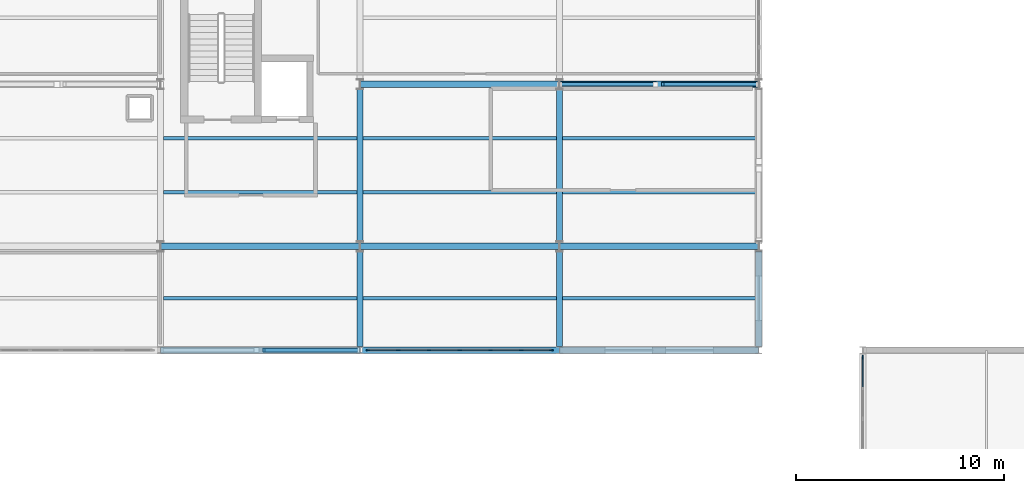
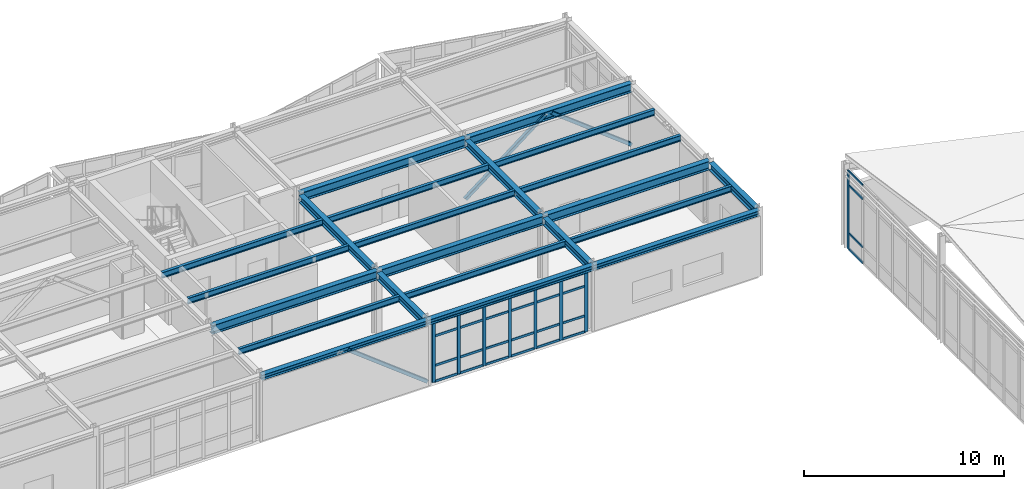
# One storey, part 35 of 64: 39 members, 22 beams, 2 elements without a shape of their own.
"""IFC4 building model written with IfcOpenShell, lengths in metres."""

from ifc_helpers import new_model, si_unit, direction, frame, origin, origin_2d, place, context, subcontext, project, spatial, rectangle, hollow_rectangle, i_section, extrude, material, layer, layer_set, material_profile, profile_set, type_object, element, aggregate, save


model = new_model("IFC4")

# Units and contexts
model_context = context("Model", 3, precision=1e-05, world=origin(), true_north=direction((0.0, 1.0)))
body_context = subcontext(model_context, "Body", "Model", "MODEL_VIEW")
ifc_project = project(units=[si_unit("LENGTHUNIT", "METRE"), si_unit("AREAUNIT", "SQUARE_METRE"), si_unit("VOLUMEUNIT", "CUBIC_METRE"), si_unit("PLANEANGLEUNIT", "RADIAN"), si_unit("MASSUNIT", "GRAM", prefix="KILO")], contexts=[model_context])

# Site, building, storey
site_placement = place(None, origin())
site = spatial("IfcSite", under=ifc_project, at=site_placement, CompositionType="ELEMENT")
building_placement = place(site_placement, origin())
building = spatial("IfcBuilding", under=site, at=building_placement, Name="Nordkorset Police Headquarters", CompositionType="ELEMENT")
storey_placement = place(building_placement, frame((0.0, 0.0, 17.85009765625)))
storey = spatial("IfcBuildingStorey", under=building, at=storey_placement, Name="L04", CompositionType="ELEMENT", Elevation=17.85009765625)

# Beams
ifc_material_1 = material(Name="Steel S355J2", Category="steel")
ifc_material_profile_1 = material_profile(ifc_material_1, i_section(OverallWidth=0.169921875, OverallDepth=0.360107421875, WebThickness=0.008056640625, FlangeThickness=0.0126953125, FilletRadius=0.01806640625, at=origin_2d()), Name="IPE 360")
ifc_profile_set_1 = profile_set([ifc_material_profile_1], Name="Steel S355J2")
beam_type_1 = type_object("IfcBeamType", Name="Beam_IPE_360", PredefinedType="BEAM", material=ifc_profile_set_1)
for number, where, z_axis, x_axis, name in (
    (1, (57.75, 100.10009765625, 3.804931640625), (1.0, 0.0, 0.0), (0.0, 1.0, 0.0), "Composite Floor Beam V2 L04 3-0-1"),
    (2, (57.75, 105.199951171875, 3.809814453125), (1.0, 0.0, 0.0), (0.0, 1.0, 0.0), "Composite Floor Beam V2 L04 3-1-1"),
    (3, (57.75, 107.800048828125, 3.809814453125), (1.0, 0.0, 0.0), (0.0, 1.0, 0.0), "Composite Floor Beam V2 L04 3-1-2"),
):
    element("IfcBeam", number, at=place(storey_placement, frame(where, z_axis=z_axis, x_axis=x_axis)), inside=storey, type_object=beam_type_1, Name=name, PredefinedType="BEAM", context=body_context, shape_type="SweptSolid", body=[
        extrude(i_section(OverallWidth=0.169921875, OverallDepth=0.360107421875, WebThickness=0.008056640625, FlangeThickness=0.0126953125, FilletRadius=0.01806640625, at=origin_2d()), origin(), (0.0, 0.0, 1.0), 9.300048828125),
    ])
for number, where, z_axis, x_axis, name in (
    (4, (67.35009765625, 100.10009765625, 3.804931640625), (1.0, 0.0, 0.0), (0.0, 1.0, 0.0), "Composite Floor Beam V2 L04 4-0-1"),
    (5, (67.35009765625, 105.199951171875, 3.809814453125), (1.0, 0.0, 0.0), (0.0, 1.0, 0.0), "Composite Floor Beam V2 L04 4-1-1"),
    (6, (67.35009765625, 107.800048828125, 3.809814453125), (1.0, 0.0, 0.0), (0.0, 1.0, 0.0), "Composite Floor Beam V2 L04 4-1-2"),
):
    element("IfcBeam", number, at=place(storey_placement, frame(where, z_axis=z_axis, x_axis=x_axis)), inside=storey, type_object=beam_type_1, Name=name, PredefinedType="BEAM", context=body_context, shape_type="SweptSolid", body=[
        extrude(i_section(OverallWidth=0.169921875, OverallDepth=0.360107421875, WebThickness=0.008056640625, FlangeThickness=0.0126953125, FilletRadius=0.01806640625, at=origin_2d()), origin(), (0.0, 0.0, 1.0), 9.2998046875),
    ])
for number, where, z_axis, x_axis, name in (
    (7, (76.949951171875, 100.10009765625, 3.804931640625), (1.0, 0.0, 0.0), (0.0, 1.0, 0.0), "Composite Floor Beam V2 L04 5-0-1"),
    (8, (76.949951171875, 105.199951171875, 3.809814453125), (1.0, 0.0, 0.0), (0.0, 1.0, 0.0), "Composite Floor Beam V2 L04 5-1-1"),
    (9, (76.949951171875, 107.800048828125, 3.809814453125), (1.0, 0.0, 0.0), (0.0, 1.0, 0.0), "Composite Floor Beam V2 L04 5-1-2"),
):
    element("IfcBeam", number, at=place(storey_placement, frame(where, z_axis=z_axis, x_axis=x_axis)), inside=storey, type_object=beam_type_1, Name=name, PredefinedType="BEAM", context=body_context, shape_type="SweptSolid", body=[
        extrude(i_section(OverallWidth=0.169921875, OverallDepth=0.360107421875, WebThickness=0.008056640625, FlangeThickness=0.0126953125, FilletRadius=0.01806640625, at=origin_2d()), origin(), (0.0, 0.0, 1.0), 9.300048828125),
    ])

# Members
ifc_material_2 = material(Name="Steel S355J2", Category="steel")
ifc_material_profile_2 = material_profile(ifc_material_2, hollow_rectangle(XDim=0.199951171875, YDim=0.199951171875, WallThickness=0.010009765625, InnerFilletRadius=0.010009765625, OuterFilletRadius=0.02001953125, at=origin_2d()), Name="SHS 200x200x10")
ifc_profile_set_2 = profile_set([ifc_material_profile_2], Name="Steel S355J2")
member_type_1 = type_object("IfcMemberType", Name="Brace_SHS_200x200x10", PredefinedType="BRACE", material=ifc_profile_set_2)
for number, where, z_axis, x_axis, name in (
    (10, (76.807373046875, 110.39990234375, 0.199951171875), (0.790801478178, 0.0, 0.612072726163), (0.0, 1.0, 0.0), "Lateral Chevron Brace BF-V2-B L04 D1"),
    (11, (86.392578125, 110.39990234375, 0.199951171875), (-0.790801478178, 0.0, 0.612072726163), (0.0, -1.0, 0.0), "Lateral Chevron Brace BF-V2-B L04 D2"),
):
    element("IfcMember", number, at=place(storey_placement, frame(where, z_axis=z_axis, x_axis=x_axis)), inside=storey, type_object=member_type_1, Name=name, PredefinedType="BRACE", context=body_context, shape_type="SweptSolid", body=[
        extrude(hollow_rectangle(XDim=0.199951171875, YDim=0.199951171875, WallThickness=0.010009765625, InnerFilletRadius=0.010009765625, OuterFilletRadius=0.02001953125, at=origin_2d()), origin(), (0.0, 0.0, 1.0), 5.832763671875),
    ])
member_1_placement = place(storey_placement, frame((67.194091796875, 97.60009765625, 0.199951171875), z_axis=(-0.790895535906, 0.0, 0.611951183743), x_axis=(0.0, -1.0, 0.0)))
element("IfcMember", 12, at=member_1_placement, inside=storey, type_object=member_type_1, Name="Lateral Chevron Brace BF-EXT-V2S L04 D2", PredefinedType="BRACE", context=body_context, shape_type="SweptSolid", body=[
    extrude(hollow_rectangle(XDim=0.199951171875, YDim=0.199951171875, WallThickness=0.010009765625, InnerFilletRadius=0.010009765625, OuterFilletRadius=0.02001953125, at=origin_2d()), origin(), (0.0, 0.0, 1.0), 5.833984375),
])

# Curtain wall, members
ifc_material_3 = material(Name="Aluminium alloy AW-6060", Category="aluminium")
ifc_layer_1 = layer(ifc_material_3, 0.179931640625, Name="Aluminium alloy AW-6060")
ifc_layer_set_1 = layer_set([ifc_layer_1], Name="Aluminium alloy AW-6060")
curtain_wall_type_1 = type_object("IfcCurtainWallType", Name="CW_Unit_888x366", PredefinedType="USERDEFINED", material=ifc_layer_set_1)
curtain_wall_1_placement = place(storey_placement, origin())
curtain_wall_1 = element("IfcCurtainWall", 13, at=curtain_wall_1_placement, inside=storey, type_object=curtain_wall_type_1, Name="Unitised Curtain Wall L04 V2S-4", ObjectType="UNITISED CURTAIN WALL", PredefinedType="USERDEFINED")
ifc_material_4 = material(Name="Aluminium alloy AW-6060", Category="aluminium")
ifc_material_profile_3 = material_profile(ifc_material_4, rectangle(XDim=0.06494140625, YDim=0.179931640625, at=origin_2d()), Name="ALU MULL 65x180")
ifc_profile_set_3 = profile_set([ifc_material_profile_3], Name="Aluminium alloy AW-6060")
member_type_2 = type_object("IfcMemberType", Name="CW_Mullion_65x180", PredefinedType="MULLION", material=ifc_profile_set_3)
member_2_placement = place(storey_placement, frame((67.592529296875, 97.60009765625, 0.0), z_axis=(0.0, 0.0, 1.0), x_axis=(0.0, 1.0, 0.0)))
member_2 = element("IfcMember", 14, at=member_2_placement, type_object=member_type_2, Name="CW-19 mullion 1", PredefinedType="MULLION", context=body_context, shape_type="SweptSolid", body=[
    extrude(rectangle(XDim=0.06494140625, YDim=0.179931640625, at=origin_2d()), origin(), (0.0, 0.0, 1.0), 3.65478515625),
])
member_3_placement = place(storey_placement, frame((69.0400390625, 97.60009765625, 0.0), z_axis=(0.0, 0.0, 1.0), x_axis=(0.0, 1.0, 0.0)))
member_3 = element("IfcMember", 15, at=member_3_placement, type_object=member_type_2, Name="CW-19 mullion 2", PredefinedType="MULLION", context=body_context, shape_type="SweptSolid", body=[
    extrude(rectangle(XDim=0.06494140625, YDim=0.179931640625, at=origin_2d()), origin(), (0.0, 0.0, 1.0), 3.65478515625),
])
member_4_placement = place(storey_placement, frame((70.52001953125, 97.60009765625, 0.0), z_axis=(0.0, 0.0, 1.0), x_axis=(0.0, 1.0, 0.0)))
member_4 = element("IfcMember", 16, at=member_4_placement, type_object=member_type_2, Name="CW-19 mullion 3", PredefinedType="MULLION", context=body_context, shape_type="SweptSolid", body=[
    extrude(rectangle(XDim=0.06494140625, YDim=0.179931640625, at=origin_2d()), origin(), (0.0, 0.0, 1.0), 3.65478515625),
])
member_5_placement = place(storey_placement, frame((72.0, 97.60009765625, 0.0), z_axis=(0.0, 0.0, 1.0), x_axis=(0.0, 1.0, 0.0)))
member_5 = element("IfcMember", 17, at=member_5_placement, type_object=member_type_2, Name="CW-19 mullion 4", PredefinedType="MULLION", context=body_context, shape_type="SweptSolid", body=[
    extrude(rectangle(XDim=0.06494140625, YDim=0.179931640625, at=origin_2d()), origin(), (0.0, 0.0, 1.0), 3.65478515625),
])
member_6_placement = place(storey_placement, frame((73.47998046875, 97.60009765625, 0.0), z_axis=(0.0, 0.0, 1.0), x_axis=(0.0, 1.0, 0.0)))
member_6 = element("IfcMember", 18, at=member_6_placement, type_object=member_type_2, Name="CW-19 mullion 5", PredefinedType="MULLION", context=body_context, shape_type="SweptSolid", body=[
    extrude(rectangle(XDim=0.06494140625, YDim=0.179931640625, at=origin_2d()), origin(), (0.0, 0.0, 1.0), 3.65478515625),
])
member_7_placement = place(storey_placement, frame((74.9599609375, 97.60009765625, 0.0), z_axis=(0.0, 0.0, 1.0), x_axis=(0.0, 1.0, 0.0)))
member_7 = element("IfcMember", 19, at=member_7_placement, type_object=member_type_2, Name="CW-19 mullion 6", PredefinedType="MULLION", context=body_context, shape_type="SweptSolid", body=[
    extrude(rectangle(XDim=0.06494140625, YDim=0.179931640625, at=origin_2d()), origin(), (0.0, 0.0, 1.0), 3.65478515625),
])
member_8_placement = place(storey_placement, frame((76.407470703125, 97.60009765625, 0.0), z_axis=(0.0, 0.0, 1.0), x_axis=(0.0, 1.0, 0.0)))
member_8 = element("IfcMember", 20, at=member_8_placement, type_object=member_type_2, Name="CW-19 mullion 7", PredefinedType="MULLION", context=body_context, shape_type="SweptSolid", body=[
    extrude(rectangle(XDim=0.06494140625, YDim=0.179931640625, at=origin_2d()), origin(), (0.0, 0.0, 1.0), 3.65478515625),
])

# Curtain wall, member
ifc_material_5 = material(Name="Aluminium alloy AW-6060", Category="aluminium")
ifc_layer_2 = layer(ifc_material_5, 0.179931640625, Name="Aluminium alloy AW-6060")
ifc_layer_set_2 = layer_set([ifc_layer_2], Name="Aluminium alloy AW-6060")
curtain_wall_type_2 = type_object("IfcCurtainWallType", Name="CW_Unit_900x479", PredefinedType="USERDEFINED", material=ifc_layer_set_2)
curtain_wall_2_placement = place(storey_placement, origin())
curtain_wall_2 = element("IfcCurtainWall", 21, at=curtain_wall_2_placement, inside=storey, type_object=curtain_wall_type_2, Name="Unitised Curtain Wall L04 V5CLER-4", ObjectType="UNITISED CURTAIN WALL", PredefinedType="USERDEFINED")
member_9_placement = place(storey_placement, frame((91.39990234375, 97.267578125, 0.0), z_axis=(0.0, 0.0, 1.0), x_axis=(-1.0, 0.0, 0.0)))
member_9 = element("IfcMember", 22, at=member_9_placement, type_object=member_type_2, Name="CW-89 mullion 7", PredefinedType="MULLION", context=body_context, shape_type="SweptSolid", body=[
    extrude(rectangle(XDim=0.06494140625, YDim=0.179931640625, at=origin_2d()), origin(), (0.0, 0.0, 1.0), 4.789794921875),
])

# Member
ifc_material_6 = material(Name="Aluminium alloy AW-6060", Category="aluminium")
ifc_material_profile_4 = material_profile(ifc_material_6, rectangle(XDim=0.06494140625, YDim=0.139892578125, at=origin_2d()), Name="ALU TRAN 65x140")
ifc_profile_set_4 = profile_set([ifc_material_profile_4], Name="Aluminium alloy AW-6060")
member_type_3 = type_object("IfcMemberType", Name="CW_Transom_65x140", PredefinedType="USERDEFINED", material=ifc_profile_set_4)
member_10_placement = place(storey_placement, frame((67.625, 97.60009765625, 0.032470703125), z_axis=(1.0, 0.0, 0.0), x_axis=(0.0, 1.0, 0.0)))
member_10 = element("IfcMember", 23, at=member_10_placement, type_object=member_type_3, Name="CW-19 transom 1.1", ObjectType="TRANSOM", PredefinedType="USERDEFINED", context=body_context, shape_type="SweptSolid", body=[
    extrude(rectangle(XDim=0.06494140625, YDim=0.139892578125, at=origin_2d()), origin(), (0.0, 0.0, 1.0), 1.382568359375),
])

member_11_placement = place(storey_placement, frame((67.625, 97.60009765625, 1.0), z_axis=(1.0, 0.0, 0.0), x_axis=(0.0, 1.0, 0.0)))
member_11 = element("IfcMember", 24, at=member_11_placement, type_object=member_type_3, Name="CW-19 transom 1.2", ObjectType="TRANSOM", PredefinedType="USERDEFINED", context=body_context, shape_type="SweptSolid", body=[
    extrude(rectangle(XDim=0.06494140625, YDim=0.139892578125, at=origin_2d()), origin(), (0.0, 0.0, 1.0), 1.382568359375),
])

member_12_placement = place(storey_placement, frame((67.625, 97.60009765625, 2.804931640625), z_axis=(1.0, 0.0, 0.0), x_axis=(0.0, 1.0, 0.0)))
member_12 = element("IfcMember", 25, at=member_12_placement, type_object=member_type_3, Name="CW-19 transom 1.3", ObjectType="TRANSOM", PredefinedType="USERDEFINED", context=body_context, shape_type="SweptSolid", body=[
    extrude(rectangle(XDim=0.06494140625, YDim=0.139892578125, at=origin_2d()), origin(), (0.0, 0.0, 1.0), 1.382568359375),
])

member_13_placement = place(storey_placement, frame((67.625, 97.60009765625, 3.622314453125), z_axis=(1.0, 0.0, 0.0), x_axis=(0.0, 1.0, 0.0)))
member_13 = element("IfcMember", 26, at=member_13_placement, type_object=member_type_3, Name="CW-19 transom 1.4", ObjectType="TRANSOM", PredefinedType="USERDEFINED", context=body_context, shape_type="SweptSolid", body=[
    extrude(rectangle(XDim=0.06494140625, YDim=0.139892578125, at=origin_2d()), origin(), (0.0, 0.0, 1.0), 1.382568359375),
])

member_14_placement = place(storey_placement, frame((69.072509765625, 97.60009765625, 0.032470703125), z_axis=(1.0, 0.0, 0.0), x_axis=(0.0, 1.0, 0.0)))
member_14 = element("IfcMember", 27, at=member_14_placement, type_object=member_type_3, Name="CW-19 transom 2.1", ObjectType="TRANSOM", PredefinedType="USERDEFINED", context=body_context, shape_type="SweptSolid", body=[
    extrude(rectangle(XDim=0.06494140625, YDim=0.139892578125, at=origin_2d()), origin(), (0.0, 0.0, 1.0), 1.4150390625),
])

member_15_placement = place(storey_placement, frame((69.072509765625, 97.60009765625, 1.0), z_axis=(1.0, 0.0, 0.0), x_axis=(0.0, 1.0, 0.0)))
member_15 = element("IfcMember", 28, at=member_15_placement, type_object=member_type_3, Name="CW-19 transom 2.2", ObjectType="TRANSOM", PredefinedType="USERDEFINED", context=body_context, shape_type="SweptSolid", body=[
    extrude(rectangle(XDim=0.06494140625, YDim=0.139892578125, at=origin_2d()), origin(), (0.0, 0.0, 1.0), 1.4150390625),
])

member_16_placement = place(storey_placement, frame((69.072509765625, 97.60009765625, 2.804931640625), z_axis=(1.0, 0.0, 0.0), x_axis=(0.0, 1.0, 0.0)))
member_16 = element("IfcMember", 29, at=member_16_placement, type_object=member_type_3, Name="CW-19 transom 2.3", ObjectType="TRANSOM", PredefinedType="USERDEFINED", context=body_context, shape_type="SweptSolid", body=[
    extrude(rectangle(XDim=0.06494140625, YDim=0.139892578125, at=origin_2d()), origin(), (0.0, 0.0, 1.0), 1.4150390625),
])

member_17_placement = place(storey_placement, frame((69.072509765625, 97.60009765625, 3.622314453125), z_axis=(1.0, 0.0, 0.0), x_axis=(0.0, 1.0, 0.0)))
member_17 = element("IfcMember", 30, at=member_17_placement, type_object=member_type_3, Name="CW-19 transom 2.4", ObjectType="TRANSOM", PredefinedType="USERDEFINED", context=body_context, shape_type="SweptSolid", body=[
    extrude(rectangle(XDim=0.06494140625, YDim=0.139892578125, at=origin_2d()), origin(), (0.0, 0.0, 1.0), 1.4150390625),
])

member_18_placement = place(storey_placement, frame((70.552490234375, 97.60009765625, 0.032470703125), z_axis=(1.0, 0.0, 0.0), x_axis=(0.0, 1.0, 0.0)))
member_18 = element("IfcMember", 31, at=member_18_placement, type_object=member_type_3, Name="CW-19 transom 3.1", ObjectType="TRANSOM", PredefinedType="USERDEFINED", context=body_context, shape_type="SweptSolid", body=[
    extrude(rectangle(XDim=0.06494140625, YDim=0.139892578125, at=origin_2d()), origin(), (0.0, 0.0, 1.0), 1.4150390625),
])

member_19_placement = place(storey_placement, frame((70.552490234375, 97.60009765625, 1.0), z_axis=(1.0, 0.0, 0.0), x_axis=(0.0, 1.0, 0.0)))
member_19 = element("IfcMember", 32, at=member_19_placement, type_object=member_type_3, Name="CW-19 transom 3.2", ObjectType="TRANSOM", PredefinedType="USERDEFINED", context=body_context, shape_type="SweptSolid", body=[
    extrude(rectangle(XDim=0.06494140625, YDim=0.139892578125, at=origin_2d()), origin(), (0.0, 0.0, 1.0), 1.4150390625),
])

member_20_placement = place(storey_placement, frame((70.552490234375, 97.60009765625, 2.804931640625), z_axis=(1.0, 0.0, 0.0), x_axis=(0.0, 1.0, 0.0)))
member_20 = element("IfcMember", 33, at=member_20_placement, type_object=member_type_3, Name="CW-19 transom 3.3", ObjectType="TRANSOM", PredefinedType="USERDEFINED", context=body_context, shape_type="SweptSolid", body=[
    extrude(rectangle(XDim=0.06494140625, YDim=0.139892578125, at=origin_2d()), origin(), (0.0, 0.0, 1.0), 1.4150390625),
])

member_21_placement = place(storey_placement, frame((70.552490234375, 97.60009765625, 3.622314453125), z_axis=(1.0, 0.0, 0.0), x_axis=(0.0, 1.0, 0.0)))
member_21 = element("IfcMember", 34, at=member_21_placement, type_object=member_type_3, Name="CW-19 transom 3.4", ObjectType="TRANSOM", PredefinedType="USERDEFINED", context=body_context, shape_type="SweptSolid", body=[
    extrude(rectangle(XDim=0.06494140625, YDim=0.139892578125, at=origin_2d()), origin(), (0.0, 0.0, 1.0), 1.4150390625),
])

member_22_placement = place(storey_placement, frame((72.032470703125, 97.60009765625, 0.032470703125), z_axis=(1.0, 0.0, 0.0), x_axis=(0.0, 1.0, 0.0)))
member_22 = element("IfcMember", 35, at=member_22_placement, type_object=member_type_3, Name="CW-19 transom 4.1", ObjectType="TRANSOM", PredefinedType="USERDEFINED", context=body_context, shape_type="SweptSolid", body=[
    extrude(rectangle(XDim=0.06494140625, YDim=0.139892578125, at=origin_2d()), origin(), (0.0, 0.0, 1.0), 1.4150390625),
])

member_23_placement = place(storey_placement, frame((72.032470703125, 97.60009765625, 1.0), z_axis=(1.0, 0.0, 0.0), x_axis=(0.0, 1.0, 0.0)))
member_23 = element("IfcMember", 36, at=member_23_placement, type_object=member_type_3, Name="CW-19 transom 4.2", ObjectType="TRANSOM", PredefinedType="USERDEFINED", context=body_context, shape_type="SweptSolid", body=[
    extrude(rectangle(XDim=0.06494140625, YDim=0.139892578125, at=origin_2d()), origin(), (0.0, 0.0, 1.0), 1.4150390625),
])

member_24_placement = place(storey_placement, frame((72.032470703125, 97.60009765625, 2.804931640625), z_axis=(1.0, 0.0, 0.0), x_axis=(0.0, 1.0, 0.0)))
member_24 = element("IfcMember", 37, at=member_24_placement, type_object=member_type_3, Name="CW-19 transom 4.3", ObjectType="TRANSOM", PredefinedType="USERDEFINED", context=body_context, shape_type="SweptSolid", body=[
    extrude(rectangle(XDim=0.06494140625, YDim=0.139892578125, at=origin_2d()), origin(), (0.0, 0.0, 1.0), 1.4150390625),
])

member_25_placement = place(storey_placement, frame((72.032470703125, 97.60009765625, 3.622314453125), z_axis=(1.0, 0.0, 0.0), x_axis=(0.0, 1.0, 0.0)))
member_25 = element("IfcMember", 38, at=member_25_placement, type_object=member_type_3, Name="CW-19 transom 4.4", ObjectType="TRANSOM", PredefinedType="USERDEFINED", context=body_context, shape_type="SweptSolid", body=[
    extrude(rectangle(XDim=0.06494140625, YDim=0.139892578125, at=origin_2d()), origin(), (0.0, 0.0, 1.0), 1.4150390625),
])

member_26_placement = place(storey_placement, frame((73.512451171875, 97.60009765625, 0.032470703125), z_axis=(1.0, 0.0, 0.0), x_axis=(0.0, 1.0, 0.0)))
member_26 = element("IfcMember", 39, at=member_26_placement, type_object=member_type_3, Name="CW-19 transom 5.1", ObjectType="TRANSOM", PredefinedType="USERDEFINED", context=body_context, shape_type="SweptSolid", body=[
    extrude(rectangle(XDim=0.06494140625, YDim=0.139892578125, at=origin_2d()), origin(), (0.0, 0.0, 1.0), 1.4150390625),
])

member_27_placement = place(storey_placement, frame((73.512451171875, 97.60009765625, 1.0), z_axis=(1.0, 0.0, 0.0), x_axis=(0.0, 1.0, 0.0)))
member_27 = element("IfcMember", 40, at=member_27_placement, type_object=member_type_3, Name="CW-19 transom 5.2", ObjectType="TRANSOM", PredefinedType="USERDEFINED", context=body_context, shape_type="SweptSolid", body=[
    extrude(rectangle(XDim=0.06494140625, YDim=0.139892578125, at=origin_2d()), origin(), (0.0, 0.0, 1.0), 1.4150390625),
])

member_28_placement = place(storey_placement, frame((73.512451171875, 97.60009765625, 2.804931640625), z_axis=(1.0, 0.0, 0.0), x_axis=(0.0, 1.0, 0.0)))
member_28 = element("IfcMember", 41, at=member_28_placement, type_object=member_type_3, Name="CW-19 transom 5.3", ObjectType="TRANSOM", PredefinedType="USERDEFINED", context=body_context, shape_type="SweptSolid", body=[
    extrude(rectangle(XDim=0.06494140625, YDim=0.139892578125, at=origin_2d()), origin(), (0.0, 0.0, 1.0), 1.4150390625),
])

member_29_placement = place(storey_placement, frame((73.512451171875, 97.60009765625, 3.622314453125), z_axis=(1.0, 0.0, 0.0), x_axis=(0.0, 1.0, 0.0)))
member_29 = element("IfcMember", 42, at=member_29_placement, type_object=member_type_3, Name="CW-19 transom 5.4", ObjectType="TRANSOM", PredefinedType="USERDEFINED", context=body_context, shape_type="SweptSolid", body=[
    extrude(rectangle(XDim=0.06494140625, YDim=0.139892578125, at=origin_2d()), origin(), (0.0, 0.0, 1.0), 1.4150390625),
])

member_30_placement = place(storey_placement, frame((74.992431640625, 97.60009765625, 0.032470703125), z_axis=(1.0, 0.0, 0.0), x_axis=(0.0, 1.0, 0.0)))
member_30 = element("IfcMember", 43, at=member_30_placement, type_object=member_type_3, Name="CW-19 transom 6.1", ObjectType="TRANSOM", PredefinedType="USERDEFINED", context=body_context, shape_type="SweptSolid", body=[
    extrude(rectangle(XDim=0.06494140625, YDim=0.139892578125, at=origin_2d()), origin(), (0.0, 0.0, 1.0), 1.382568359375),
])

member_31_placement = place(storey_placement, frame((74.992431640625, 97.60009765625, 1.0), z_axis=(1.0, 0.0, 0.0), x_axis=(0.0, 1.0, 0.0)))
member_31 = element("IfcMember", 44, at=member_31_placement, type_object=member_type_3, Name="CW-19 transom 6.2", ObjectType="TRANSOM", PredefinedType="USERDEFINED", context=body_context, shape_type="SweptSolid", body=[
    extrude(rectangle(XDim=0.06494140625, YDim=0.139892578125, at=origin_2d()), origin(), (0.0, 0.0, 1.0), 1.382568359375),
])

member_32_placement = place(storey_placement, frame((74.992431640625, 97.60009765625, 2.804931640625), z_axis=(1.0, 0.0, 0.0), x_axis=(0.0, 1.0, 0.0)))
member_32 = element("IfcMember", 45, at=member_32_placement, type_object=member_type_3, Name="CW-19 transom 6.3", ObjectType="TRANSOM", PredefinedType="USERDEFINED", context=body_context, shape_type="SweptSolid", body=[
    extrude(rectangle(XDim=0.06494140625, YDim=0.139892578125, at=origin_2d()), origin(), (0.0, 0.0, 1.0), 1.382568359375),
])

member_33_placement = place(storey_placement, frame((74.992431640625, 97.60009765625, 3.622314453125), z_axis=(1.0, 0.0, 0.0), x_axis=(0.0, 1.0, 0.0)))
member_33 = element("IfcMember", 46, at=member_33_placement, type_object=member_type_3, Name="CW-19 transom 6.4", ObjectType="TRANSOM", PredefinedType="USERDEFINED", context=body_context, shape_type="SweptSolid", body=[
    extrude(rectangle(XDim=0.06494140625, YDim=0.139892578125, at=origin_2d()), origin(), (0.0, 0.0, 1.0), 1.382568359375),
])

aggregate(curtain_wall_1, [member_2, member_3, member_4, member_5, member_6, member_7, member_8, member_10, member_11, member_12, member_13, member_14, member_15, member_16, member_17, member_18, member_19, member_20, member_21, member_22, member_23, member_24, member_25, member_26, member_27, member_28, member_29, member_30, member_31, member_32, member_33])

member_34_placement = place(storey_placement, frame((91.39990234375, 95.83251953125, 0.032470703125), z_axis=(0.0, 1.0, 0.0), x_axis=(-1.0, 0.0, 0.0)))
member_34 = element("IfcMember", 47, at=member_34_placement, type_object=member_type_3, Name="CW-89 transom 6.1", ObjectType="TRANSOM", PredefinedType="USERDEFINED", context=body_context, shape_type="SweptSolid", body=[
    extrude(rectangle(XDim=0.06494140625, YDim=0.139892578125, at=origin_2d()), origin(), (0.0, 0.0, 1.0), 1.402587890625),
])

member_35_placement = place(storey_placement, frame((91.39990234375, 95.83251953125, 1.0), z_axis=(0.0, 1.0, 0.0), x_axis=(-1.0, 0.0, 0.0)))
member_35 = element("IfcMember", 48, at=member_35_placement, type_object=member_type_3, Name="CW-89 transom 6.2", ObjectType="TRANSOM", PredefinedType="USERDEFINED", context=body_context, shape_type="SweptSolid", body=[
    extrude(rectangle(XDim=0.06494140625, YDim=0.139892578125, at=origin_2d()), origin(), (0.0, 0.0, 1.0), 1.402587890625),
])

member_36_placement = place(storey_placement, frame((91.39990234375, 95.83251953125, 3.93994140625), z_axis=(0.0, 1.0, 0.0), x_axis=(-1.0, 0.0, 0.0)))
member_36 = element("IfcMember", 49, at=member_36_placement, type_object=member_type_3, Name="CW-89 transom 6.3", ObjectType="TRANSOM", PredefinedType="USERDEFINED", context=body_context, shape_type="SweptSolid", body=[
    extrude(rectangle(XDim=0.06494140625, YDim=0.139892578125, at=origin_2d()), origin(), (0.0, 0.0, 1.0), 1.402587890625),
])

member_37_placement = place(storey_placement, frame((91.39990234375, 95.83251953125, 4.75732421875), z_axis=(0.0, 1.0, 0.0), x_axis=(-1.0, 0.0, 0.0)))
member_37 = element("IfcMember", 50, at=member_37_placement, type_object=member_type_3, Name="CW-89 transom 6.4", ObjectType="TRANSOM", PredefinedType="USERDEFINED", context=body_context, shape_type="SweptSolid", body=[
    extrude(rectangle(XDim=0.06494140625, YDim=0.139892578125, at=origin_2d()), origin(), (0.0, 0.0, 1.0), 1.402587890625),
])

aggregate(curtain_wall_2, [member_9, member_34, member_35, member_36, member_37])

# Beams
ifc_material_7 = material(Name="Steel S355J2", Category="steel")
ifc_material_profile_5 = material_profile(ifc_material_7, i_section(OverallWidth=0.300048828125, OverallDepth=0.43994140625, WebThickness=0.011474609375, FlangeThickness=0.02099609375, FilletRadius=0.027099609375, at=origin_2d()), Name="HEA 450")
ifc_profile_set_5 = profile_set([ifc_material_profile_5], Name="Steel S355J2")
beam_type_2 = type_object("IfcBeamType", Name="Girder_HEA_450", PredefinedType="USERDEFINED", material=ifc_profile_set_5)
beam_1_placement = place(storey_placement, frame((67.199951171875, 97.77001953125, 3.764892578125), z_axis=(0.0, 1.0, 0.0), x_axis=(-1.0, 0.0, 0.0)))
element("IfcBeam", 51, at=beam_1_placement, inside=storey, type_object=beam_type_2, Name="Girder V2 L04 GY-4-0", ObjectType="GIRDER", PredefinedType="USERDEFINED", context=body_context, shape_type="SweptSolid", body=[
    extrude(i_section(OverallWidth=0.300048828125, OverallDepth=0.43994140625, WebThickness=0.011474609375, FlangeThickness=0.02099609375, FilletRadius=0.027099609375, at=origin_2d()), origin(), (0.0, 0.0, 1.0), 4.580078125),
])
beam_2_placement = place(storey_placement, frame((67.199951171875, 102.85009765625, 3.77001953125), z_axis=(0.0, 1.0, 0.0), x_axis=(-1.0, 0.0, 0.0)))
element("IfcBeam", 52, at=beam_2_placement, inside=storey, type_object=beam_type_2, Name="Girder V2 L04 GY-4-1", ObjectType="GIRDER", PredefinedType="USERDEFINED", context=body_context, shape_type="SweptSolid", body=[
    extrude(i_section(OverallWidth=0.300048828125, OverallDepth=0.43994140625, WebThickness=0.011474609375, FlangeThickness=0.02099609375, FilletRadius=0.027099609375, at=origin_2d()), origin(), (0.0, 0.0, 1.0), 7.2998046875),
])
beam_3_placement = place(storey_placement, frame((76.800048828125, 97.77001953125, 3.764892578125), z_axis=(0.0, 1.0, 0.0), x_axis=(-1.0, 0.0, 0.0)))
element("IfcBeam", 53, at=beam_3_placement, inside=storey, type_object=beam_type_2, Name="Girder V2 L04 GY-5-0", ObjectType="GIRDER", PredefinedType="USERDEFINED", context=body_context, shape_type="SweptSolid", body=[
    extrude(i_section(OverallWidth=0.300048828125, OverallDepth=0.43994140625, WebThickness=0.011474609375, FlangeThickness=0.02099609375, FilletRadius=0.027099609375, at=origin_2d()), origin(), (0.0, 0.0, 1.0), 4.580078125),
])
beam_4_placement = place(storey_placement, frame((76.800048828125, 102.85009765625, 3.77001953125), z_axis=(0.0, 1.0, 0.0), x_axis=(-1.0, 0.0, 0.0)))
element("IfcBeam", 54, at=beam_4_placement, inside=storey, type_object=beam_type_2, Name="Girder V2 L04 GY-5-1", ObjectType="GIRDER", PredefinedType="USERDEFINED", context=body_context, shape_type="SweptSolid", body=[
    extrude(i_section(OverallWidth=0.300048828125, OverallDepth=0.43994140625, WebThickness=0.011474609375, FlangeThickness=0.02099609375, FilletRadius=0.027099609375, at=origin_2d()), origin(), (0.0, 0.0, 1.0), 7.2998046875),
])
beam_5_placement = place(storey_placement, frame((86.39990234375, 97.77001953125, 3.764892578125), z_axis=(0.0, 1.0, 0.0), x_axis=(-1.0, 0.0, 0.0)))
element("IfcBeam", 55, at=beam_5_placement, inside=storey, type_object=beam_type_2, Name="Girder V2 L04 GY-6-0", ObjectType="GIRDER", PredefinedType="USERDEFINED", context=body_context, shape_type="SweptSolid", body=[
    extrude(i_section(OverallWidth=0.300048828125, OverallDepth=0.43994140625, WebThickness=0.011474609375, FlangeThickness=0.02099609375, FilletRadius=0.027099609375, at=origin_2d()), origin(), (0.0, 0.0, 1.0), 4.580078125),
])
ifc_material_8 = material(Name="Steel S355J2", Category="steel")
ifc_material_profile_6 = material_profile(ifc_material_8, i_section(OverallWidth=0.300048828125, OverallDepth=0.5400390625, WebThickness=0.012451171875, FlangeThickness=0.02392578125, FilletRadius=0.027099609375, at=origin_2d()), Name="HEA 550")
ifc_profile_set_6 = profile_set([ifc_material_profile_6], Name="Steel S355J2")
beam_type_3 = type_object("IfcBeamType", Name="Girder_HEA_550", PredefinedType="USERDEFINED", material=ifc_profile_set_6)
beam_6_placement = place(storey_placement, frame((57.607421875, 102.60009765625, 3.71484375), z_axis=(1.0, 0.0, 0.0), x_axis=(0.0, 1.0, 0.0)))
element("IfcBeam", 56, at=beam_6_placement, inside=storey, type_object=beam_type_3, Name="Girder V2 L04 GX-1-3", ObjectType="GIRDER", PredefinedType="USERDEFINED", context=body_context, shape_type="SweptSolid", body=[
    extrude(i_section(OverallWidth=0.300048828125, OverallDepth=0.5400390625, WebThickness=0.012451171875, FlangeThickness=0.02392578125, FilletRadius=0.027099609375, at=origin_2d()), origin(), (0.0, 0.0, 1.0), 9.585205078125),
])
beam_7_placement = place(storey_placement, frame((67.207275390625, 102.60009765625, 3.71484375), z_axis=(1.0, 0.0, 0.0), x_axis=(0.0, 1.0, 0.0)))
element("IfcBeam", 57, at=beam_7_placement, inside=storey, type_object=beam_type_3, Name="Girder V2 L04 GX-1-4", ObjectType="GIRDER", PredefinedType="USERDEFINED", context=body_context, shape_type="SweptSolid", body=[
    extrude(i_section(OverallWidth=0.300048828125, OverallDepth=0.5400390625, WebThickness=0.012451171875, FlangeThickness=0.02392578125, FilletRadius=0.027099609375, at=origin_2d()), origin(), (0.0, 0.0, 1.0), 9.58544921875),
])
beam_8_placement = place(storey_placement, frame((76.807373046875, 102.60009765625, 3.71484375), z_axis=(1.0, 0.0, 0.0), x_axis=(0.0, 1.0, 0.0)))
element("IfcBeam", 58, at=beam_8_placement, inside=storey, type_object=beam_type_3, Name="Girder V2 L04 GX-1-5", ObjectType="GIRDER", PredefinedType="USERDEFINED", context=body_context, shape_type="SweptSolid", body=[
    extrude(i_section(OverallWidth=0.300048828125, OverallDepth=0.5400390625, WebThickness=0.012451171875, FlangeThickness=0.02392578125, FilletRadius=0.027099609375, at=origin_2d()), origin(), (0.0, 0.0, 1.0), 9.585205078125),
])
beam_9_placement = place(storey_placement, frame((67.207275390625, 110.39990234375, 3.719970703125), z_axis=(1.0, 0.0, 0.0), x_axis=(0.0, 1.0, 0.0)))
element("IfcBeam", 59, at=beam_9_placement, inside=storey, type_object=beam_type_3, Name="Girder V2 L04 GX-2-4", ObjectType="GIRDER", PredefinedType="USERDEFINED", context=body_context, shape_type="SweptSolid", body=[
    extrude(i_section(OverallWidth=0.300048828125, OverallDepth=0.5400390625, WebThickness=0.012451171875, FlangeThickness=0.02392578125, FilletRadius=0.027099609375, at=origin_2d()), origin(), (0.0, 0.0, 1.0), 9.58544921875),
])
beam_10_placement = place(storey_placement, frame((76.807373046875, 110.39990234375, 3.719970703125), z_axis=(1.0, 0.0, 0.0), x_axis=(0.0, 1.0, 0.0)))
element("IfcBeam", 60, at=beam_10_placement, inside=storey, type_object=beam_type_3, Name="Girder V2 L04 GX-2-5", ObjectType="GIRDER", PredefinedType="USERDEFINED", context=body_context, shape_type="SweptSolid", body=[
    extrude(i_section(OverallWidth=0.300048828125, OverallDepth=0.5400390625, WebThickness=0.012451171875, FlangeThickness=0.02392578125, FilletRadius=0.027099609375, at=origin_2d()), origin(), (0.0, 0.0, 1.0), 9.585205078125),
])
ifc_material_9 = material(Name="Steel S355J2", Category="steel")
ifc_material_profile_7 = material_profile(ifc_material_9, i_section(OverallWidth=0.300048828125, OverallDepth=0.31005859375, WebThickness=0.009033203125, FlangeThickness=0.015380859375, FilletRadius=0.027099609375, at=origin_2d()), Name="HEA 320")
ifc_profile_set_7 = profile_set([ifc_material_profile_7], Name="Steel S355J2")
beam_type_4 = type_object("IfcBeamType", Name="Spandrel_HEA_320", PredefinedType="SPANDREL", material=ifc_profile_set_7)
beam_11_placement = place(storey_placement, frame((57.60595703125, 97.60009765625, 3.829833984375), z_axis=(1.0, 0.0, 0.0), x_axis=(0.0, 1.0, 0.0)))
element("IfcBeam", 61, at=beam_11_placement, inside=storey, type_object=beam_type_4, Name="Girder V2 L04 GX-0-3", PredefinedType="SPANDREL", context=body_context, shape_type="SweptSolid", body=[
    extrude(i_section(OverallWidth=0.300048828125, OverallDepth=0.31005859375, WebThickness=0.009033203125, FlangeThickness=0.015380859375, FilletRadius=0.027099609375, at=origin_2d()), origin(), (0.0, 0.0, 1.0), 9.588134765625),
])
beam_12_placement = place(storey_placement, frame((67.2060546875, 97.60009765625, 3.829833984375), z_axis=(1.0, 0.0, 0.0), x_axis=(0.0, 1.0, 0.0)))
element("IfcBeam", 62, at=beam_12_placement, inside=storey, type_object=beam_type_4, Name="Girder V2 L04 GX-0-4", PredefinedType="SPANDREL", context=body_context, shape_type="SweptSolid", body=[
    extrude(i_section(OverallWidth=0.300048828125, OverallDepth=0.31005859375, WebThickness=0.009033203125, FlangeThickness=0.015380859375, FilletRadius=0.027099609375, at=origin_2d()), origin(), (0.0, 0.0, 1.0), 9.587890625),
])
beam_13_placement = place(storey_placement, frame((76.805908203125, 97.60009765625, 3.829833984375), z_axis=(1.0, 0.0, 0.0), x_axis=(0.0, 1.0, 0.0)))
element("IfcBeam", 63, at=beam_13_placement, inside=storey, type_object=beam_type_4, Name="Girder V2 L04 GX-0-5", PredefinedType="SPANDREL", context=body_context, shape_type="SweptSolid", body=[
    extrude(i_section(OverallWidth=0.300048828125, OverallDepth=0.31005859375, WebThickness=0.009033203125, FlangeThickness=0.015380859375, FilletRadius=0.027099609375, at=origin_2d()), origin(), (0.0, 0.0, 1.0), 9.588134765625),
])

save(model, "model.ifc")
